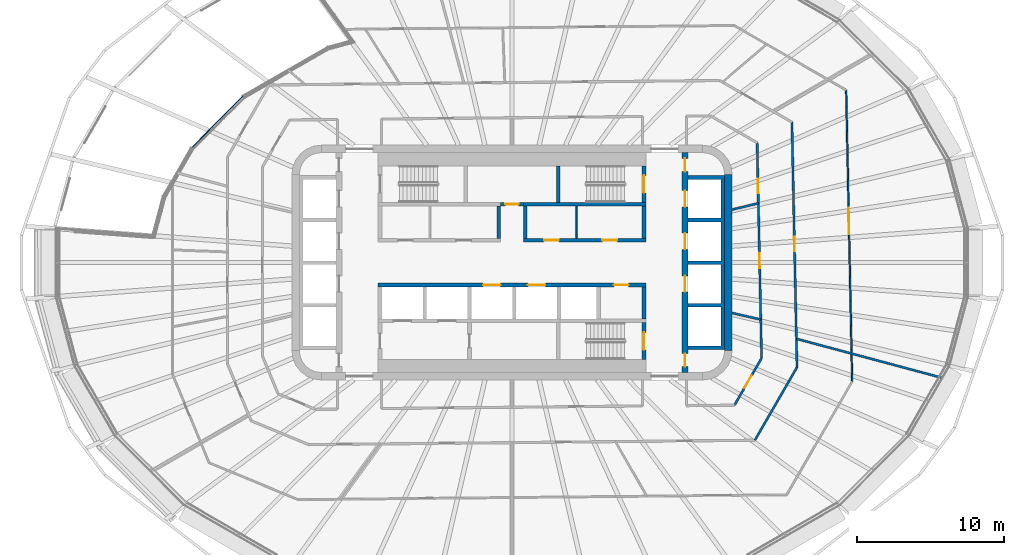
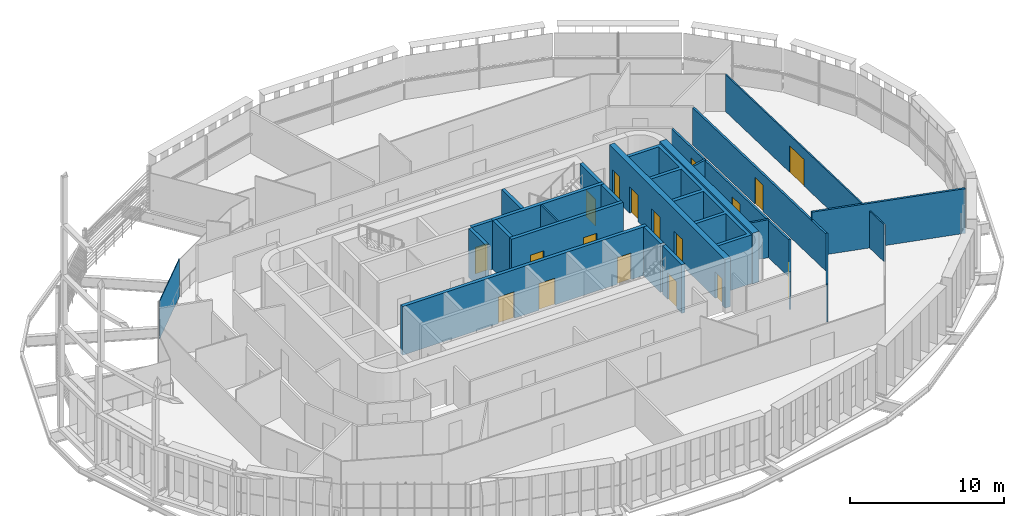
# One storey, part 13 of 22: 24 walls, 18 doors, 18 openings.
"""IFC4 building model written with IfcOpenShell, lengths in metres."""

from ifc_helpers import new_model, si_unit, direction, frame, frame_2d, origin, place, context, subcontext, project, spatial, polyline, rectangle, outline, extrude, material, layer, layer_set, type_object, element, fill, save


model = new_model("IFC4")

# Units and contexts
model_context = context("Model", 3, precision=1e-05, world=origin(), true_north=direction((0.0, 1.0)))
body_context = subcontext(model_context, "Body", "Model", "MODEL_VIEW")
ifc_project = project(units=[si_unit("LENGTHUNIT", "METRE"), si_unit("AREAUNIT", "SQUARE_METRE"), si_unit("VOLUMEUNIT", "CUBIC_METRE"), si_unit("PLANEANGLEUNIT", "RADIAN"), si_unit("MASSUNIT", "GRAM", prefix="KILO")], contexts=[model_context])

# Site, building, storey
site_placement = place(None, origin())
site = spatial("IfcSite", under=ifc_project, at=site_placement, CompositionType="ELEMENT")
building_placement = place(site_placement, origin())
building = spatial("IfcBuilding", under=site, at=building_placement, Name="Sahrelin Media Tower", CompositionType="ELEMENT")
storey_placement = place(building_placement, frame((0.0, 0.0, 177.60009765625)))
storey = spatial("IfcBuildingStorey", under=building, at=storey_placement, Name="L37", CompositionType="ELEMENT", Elevation=177.60009765625)

# Wall
ifc_material_1 = material(Name="Concrete C60/75", Category="concrete")
ifc_layer_1 = layer(ifc_material_1, 0.5)
ifc_layer_set_1 = layer_set([ifc_layer_1], Name="Core wall 500")
wall_type_1 = type_object("IfcWallType", Name="Core wall 500", PredefinedType="SHEAR", material=ifc_layer_set_1)
wall_1_placement = place(storey_placement, frame((14.75, -6.0, 0.0), z_axis=(0.0, 0.0, 1.0), x_axis=(0.0, 1.0, 0.0)))
element("IfcWall", 1, at=wall_1_placement, inside=storey, type_object=wall_type_1, Name="Core wall E L37", PredefinedType="SHEAR", context=body_context, shape_type="SweptSolid", body=[
    extrude(rectangle(XDim=12.0, YDim=0.5, at=frame_2d((6.0, 0.0))), origin(), (0.0, 0.0, 1.0), 4.0),
])

# Wall, opening, door
ifc_material_2 = material(Name="Fire-rated gypsum board partition")
ifc_layer_2 = layer(ifc_material_2, 0.25)
ifc_layer_set_2 = layer_set([ifc_layer_2], Name="Fire-rated lobby wall 250")
wall_type_2 = type_object("IfcWallType", Name="Fire-rated lobby wall 250", PredefinedType="PARTITIONING", material=ifc_layer_set_2)
wall_2_placement = place(storey_placement, frame((-0.77490234375, 3.97509765625, 0.0), z_axis=(0.0, 0.0, 1.0), x_axis=(1.0, 0.0, 0.0)))
wall_2 = element("IfcWall", 2, at=wall_2_placement, inside=storey, type_object=wall_type_2, Name="Core lobby wall", PredefinedType="PARTITIONING", context=body_context, shape_type="SweptSolid", body=[
    extrude(rectangle(XDim=1.5498046875, YDim=0.25, at=frame_2d((0.77490234375, 0.0))), origin(), (0.0, 0.0, 1.0), 3.849853515625),
])
opening_1_placement = place(wall_2_placement, frame((0.324951171875, 0.0, 0.0)))
opening_1 = element("IfcOpeningElement", 3, at=opening_1_placement, cuts=wall_2, Name="Opening L37-D06", PredefinedType="OPENING", context=body_context, shape_type="SweptSolid", body=[
    extrude(rectangle(XDim=0.89990234375, YDim=2.10009765625, at=frame_2d((0.449951171875, 1.050048828125))), frame((0.0, 0.125, 0.0), z_axis=(0.0, -1.0, 0.0), x_axis=(1.0, 0.0, 0.0)), (0.0, 0.0, 1.0), 0.25),
])
ifc_material_3 = material(Name="Steel fire door leaf", Category="steel")
door_type_1 = type_object("IfcDoorType", Name="Riser door 900 x 2100 EI 120", OperationType="NOTDEFINED", PredefinedType="DOOR", material=ifc_material_3)
door_1_placement = place(opening_1_placement, origin())
door_1 = element("IfcDoor", 4, at=door_1_placement, inside=storey, type_object=door_type_1, Name="Core room door", OperationType="SINGLE_SWING_LEFT", OverallHeight=2.10009765625, OverallWidth=0.89990234375, PredefinedType="DOOR", context=body_context, shape_type="SweptSolid", body=[
    extrude(rectangle(XDim=0.89990234375, YDim=2.10009765625, at=frame_2d((0.449951171875, 1.050048828125))), frame((0.0, 0.02490234375, 0.0), z_axis=(0.0, -1.0, 0.0), x_axis=(1.0, 0.0, 0.0)), (0.0, 0.0, 1.0), 0.050048828125),
])
fill(opening_1, door_1)

# Wall, openings, doors
wall_3_placement = place(storey_placement, frame((0.77490234375, 1.52490234375, 0.0), z_axis=(0.0, 0.0, 1.0), x_axis=(1.0, 0.0, 0.0)))
wall_3 = element("IfcWall", 5, at=wall_3_placement, inside=storey, type_object=wall_type_2, Name="Core lobby wall", PredefinedType="PARTITIONING", context=body_context, shape_type="SweptSolid", body=[
    extrude(rectangle(XDim=8.35009765625, YDim=0.25, at=frame_2d((4.175048828125, 0.0))), origin(), (0.0, 0.0, 1.0), 3.849853515625),
])
opening_2_placement = place(wall_3_placement, frame((1.41259765625, 0.0, 0.0)))
opening_2 = element("IfcOpeningElement", 6, at=opening_2_placement, cuts=wall_3, Name="Opening L37-D09", PredefinedType="OPENING", context=body_context, shape_type="SweptSolid", body=[
    extrude(rectangle(XDim=1.0, YDim=2.10009765625, at=frame_2d((0.5, 1.050048828125))), frame((0.0, 0.125, 0.0), z_axis=(0.0, -1.0, 0.0), x_axis=(1.0, 0.0, 0.0)), (0.0, 0.0, 1.0), 0.25),
])
opening_3_placement = place(wall_3_placement, frame((5.387451171875, 0.0, 0.0)))
opening_3 = element("IfcOpeningElement", 7, at=opening_3_placement, cuts=wall_3, Name="Opening L37-D10", PredefinedType="OPENING", context=body_context, shape_type="SweptSolid", body=[
    extrude(rectangle(XDim=1.0, YDim=2.10009765625, at=frame_2d((0.5, 1.050048828125))), frame((0.0, 0.125, 0.0), z_axis=(0.0, -1.0, 0.0), x_axis=(1.0, 0.0, 0.0)), (0.0, 0.0, 1.0), 0.25),
])
door_type_2 = type_object("IfcDoorType", Name="Fire door 1000 x 2100 EI 60", OperationType="NOTDEFINED", PredefinedType="DOOR", material=ifc_material_3)
door_2_placement = place(opening_2_placement, origin())
door_2 = element("IfcDoor", 8, at=door_2_placement, inside=storey, type_object=door_type_2, Name="Core room door", OperationType="SINGLE_SWING_LEFT", OverallHeight=2.10009765625, OverallWidth=1.0, PredefinedType="DOOR", context=body_context, shape_type="SweptSolid", body=[
    extrude(rectangle(XDim=1.0, YDim=2.10009765625, at=frame_2d((0.5, 1.050048828125))), frame((0.0, 0.02490234375, 0.0), z_axis=(0.0, -1.0, 0.0), x_axis=(1.0, 0.0, 0.0)), (0.0, 0.0, 1.0), 0.050048828125),
])
fill(opening_2, door_2)
door_3_placement = place(opening_3_placement, origin())
door_3 = element("IfcDoor", 9, at=door_3_placement, inside=storey, type_object=door_type_2, Name="Core room door", OperationType="SINGLE_SWING_LEFT", OverallHeight=2.10009765625, OverallWidth=1.0, PredefinedType="DOOR", context=body_context, shape_type="SweptSolid", body=[
    extrude(rectangle(XDim=1.0, YDim=2.10009765625, at=frame_2d((0.5, 1.050048828125))), frame((0.0, 0.02490234375, 0.0), z_axis=(0.0, -1.0, 0.0), x_axis=(1.0, 0.0, 0.0)), (0.0, 0.0, 1.0), 0.050048828125),
])
fill(opening_3, door_3)

# Walls
for number, where, z_axis, x_axis, name in (
    (10, (-0.89990234375, 1.64990234375, 0.0), (0.0, 0.0, 1.0), (0.0, 1.0, 0.0), "Core lobby wall"),
    (11, (9.0, 1.64990234375, 0.0), (0.0, 0.0, 1.0), (0.0, 1.0, 0.0), "Core lobby wall"),
    (12, (0.89990234375, 1.64990234375, 0.0), (0.0, 0.0, 1.0), (0.0, 1.0, 0.0), "Core lobby wall"),
):
    element("IfcWall", number, at=place(storey_placement, frame(where, z_axis=z_axis, x_axis=x_axis)), inside=storey, type_object=wall_type_2, Name=name, PredefinedType="PARTITIONING", context=body_context, shape_type="SweptSolid", body=[
        extrude(rectangle(XDim=2.2001953125, YDim=0.25, at=frame_2d((1.10009765625, 0.0))), origin(), (0.0, 0.0, 1.0), 3.849853515625),
    ])
ifc_layer_3 = layer(ifc_material_2, 0.10009765625)
ifc_layer_set_3 = layer_set([ifc_layer_3], Name="Fire-rated partition 100")
wall_type_3 = type_object("IfcWallType", Name="Fire-rated partition 100", PredefinedType="PARTITIONING", material=ifc_layer_set_3)
wall_4_placement = place(storey_placement, frame((4.39990234375, 1.64990234375, 0.0), z_axis=(0.0, 0.0, 1.0), x_axis=(0.0, 1.0, 0.0)))
element("IfcWall", 13, at=wall_4_placement, inside=storey, type_object=wall_type_3, Name="Core room partition", PredefinedType="PARTITIONING", context=body_context, shape_type="SweptSolid", body=[
    extrude(rectangle(XDim=2.2001953125, YDim=0.10009765625, at=frame_2d((1.10009765625, 0.0))), origin(), (0.0, 0.0, 1.0), 3.849853515625),
])

# Wall, openings, doors
ifc_layer_4 = layer(ifc_material_2, 0.14990234375)
ifc_layer_set_4 = layer_set([ifc_layer_4], Name="Fire-rated partition 150")
wall_type_4 = type_object("IfcWallType", Name="Fire-rated partition 150", PredefinedType="PARTITIONING", material=ifc_layer_set_4)
wall_5_placement = place(storey_placement, frame((16.7080078125, 8.16796875, 0.0), z_axis=(0.0, 0.0, 1.0), x_axis=(0.020594135175, -0.999787918309, 0.0)))
wall_5 = element("IfcWall", 14, at=wall_5_placement, inside=storey, type_object=wall_type_4, Name="Wall", PredefinedType="PARTITIONING", context=body_context, shape_type="SweptSolid", body=[
    extrude(rectangle(XDim=14.688232421875, YDim=0.14990234375, at=frame_2d((7.34423828125, 0.0))), origin(), (0.0, 0.0, 1.0), 2.927001953125),
])
opening_4_placement = place(wall_5_placement, frame((7.540283203125, 0.0, 0.0)))
opening_4 = element("IfcOpeningElement", 15, at=opening_4_placement, cuts=wall_5, Name="Opening L37-D23", PredefinedType="OPENING", context=body_context, shape_type="SweptSolid", body=[
    extrude(rectangle(XDim=1.0, YDim=2.10009765625, at=frame_2d((0.5, 1.050048828125))), frame((0.0, 0.074951171875, 0.0), z_axis=(0.0, -1.0, 0.0), x_axis=(1.0, 0.0, 0.0)), (0.0, 0.0, 1.0), 0.14990234375),
])
opening_5_placement = place(wall_5_placement, frame((2.4404296875, 0.0, 0.0)))
opening_5 = element("IfcOpeningElement", 16, at=opening_5_placement, cuts=wall_5, Name="Opening L37-D24", PredefinedType="OPENING", context=body_context, shape_type="SweptSolid", body=[
    extrude(rectangle(XDim=1.0, YDim=2.10009765625, at=frame_2d((0.5, 1.050048828125))), frame((0.0, 0.074951171875, 0.0), z_axis=(0.0, -1.0, 0.0), x_axis=(1.0, 0.0, 0.0)), (0.0, 0.0, 1.0), 0.14990234375),
])
door_4_placement = place(opening_4_placement, origin())
door_4 = element("IfcDoor", 17, at=door_4_placement, inside=storey, type_object=door_type_2, Name="Fire door", OperationType="SINGLE_SWING_RIGHT", OverallHeight=2.10009765625, OverallWidth=1.0, PredefinedType="DOOR", context=body_context, shape_type="SweptSolid", body=[
    extrude(rectangle(XDim=1.0, YDim=2.10009765625, at=frame_2d((0.5, 1.050048828125))), frame((0.0, 0.02490234375, 0.0), z_axis=(0.0, -1.0, 0.0), x_axis=(1.0, 0.0, 0.0)), (0.0, 0.0, 1.0), 0.050048828125),
])
fill(opening_4, door_4)
door_5_placement = place(opening_5_placement, origin())
door_5 = element("IfcDoor", 18, at=door_5_placement, inside=storey, type_object=door_type_2, Name="Fire door", OperationType="SINGLE_SWING_RIGHT", OverallHeight=2.10009765625, OverallWidth=1.0, PredefinedType="DOOR", context=body_context, shape_type="SweptSolid", body=[
    extrude(rectangle(XDim=1.0, YDim=2.10009765625, at=frame_2d((0.5, 1.050048828125))), frame((0.0, 0.02490234375, 0.0), z_axis=(0.0, -1.0, 0.0), x_axis=(1.0, 0.0, 0.0)), (0.0, 0.0, 1.0), 0.050048828125),
])
fill(opening_5, door_5)

# Wall, opening, door
wall_6_placement = place(storey_placement, frame((19.080078125, 9.570068359375, 0.0), z_axis=(0.0, 0.0, 1.0), x_axis=(0.020585419538, -0.9997880978, 0.0)))
wall_6 = element("IfcWall", 19, at=wall_6_placement, inside=storey, type_object=wall_type_4, Name="Wall", PredefinedType="PARTITIONING", context=body_context, shape_type="SweptSolid", body=[
    extrude(rectangle(XDim=16.710693359375, YDim=0.14990234375, at=frame_2d((8.35546875, 0.0))), origin(), (0.0, 0.0, 1.0), 2.927001953125),
])
opening_6_placement = place(wall_6_placement, frame((7.80517578125, 0.0, 0.0)))
opening_6 = element("IfcOpeningElement", 20, at=opening_6_placement, cuts=wall_6, Name="Opening L37-D33", PredefinedType="OPENING", context=body_context, shape_type="SweptSolid", body=[
    extrude(rectangle(XDim=1.0, YDim=2.10009765625, at=frame_2d((0.5, 1.050048828125))), frame((0.0, 0.074951171875, 0.0), z_axis=(0.0, -1.0, 0.0), x_axis=(1.0, 0.0, 0.0)), (0.0, 0.0, 1.0), 0.14990234375),
])
door_6_placement = place(opening_6_placement, origin())
door_6 = element("IfcDoor", 21, at=door_6_placement, inside=storey, type_object=door_type_2, Name="Fire door", OperationType="SINGLE_SWING_RIGHT", OverallHeight=2.10009765625, OverallWidth=1.0, PredefinedType="DOOR", context=body_context, shape_type="SweptSolid", body=[
    extrude(rectangle(XDim=1.0, YDim=2.10009765625, at=frame_2d((0.5, 1.050048828125))), frame((0.0, 0.02490234375, 0.0), z_axis=(0.0, -1.0, 0.0), x_axis=(1.0, 0.0, 0.0)), (0.0, 0.0, 1.0), 0.050048828125),
])
fill(opening_6, door_6)

# Walls
wall_7_placement = place(storey_placement, frame((19.384033203125, -5.194091796875, 0.0), z_axis=(0.0, 0.0, 1.0), x_axis=(0.965946042089, -0.258743586919, 0.0)))
element("IfcWall", 22, at=wall_7_placement, inside=storey, type_object=wall_type_4, Name="Wall", PredefinedType="PARTITIONING", context=body_context, shape_type="SweptSolid", body=[
    extrude(rectangle(XDim=10.302734375, YDim=0.14990234375, at=frame_2d((5.1513671875, 0.0))), origin(), (0.0, 0.0, 1.0), 3.526611328125),
])
wall_8_placement = place(storey_placement, frame((15.0, -3.43505859375, 0.0), z_axis=(0.0, 0.0, 1.0), x_axis=(0.974785245705, -0.223145075582, 0.0)))
element("IfcWall", 23, at=wall_8_placement, inside=storey, type_object=wall_type_4, Name="Wall", PredefinedType="PARTITIONING", context=body_context, shape_type="SweptSolid", body=[
    extrude(rectangle(XDim=2.007568359375, YDim=0.14990234375, at=frame_2d((1.00390625, 0.0))), origin(), (0.0, 0.0, 1.0), 2.994873046875),
])
wall_9_placement = place(storey_placement, frame((15.0, 3.612060546875, 0.0), z_axis=(0.0, 0.0, 1.0), x_axis=(0.972133200519, 0.234429180027, 0.0)))
element("IfcWall", 24, at=wall_9_placement, inside=storey, type_object=wall_type_4, Name="Wall", PredefinedType="PARTITIONING", context=body_context, shape_type="SweptSolid", body=[
    extrude(rectangle(XDim=1.844482421875, YDim=0.14990234375, at=frame_2d((0.92236328125, 0.0))), origin(), (0.0, 0.0, 1.0), 2.994873046875),
])
wall_10_placement = place(storey_placement, frame((16.554931640625, -12.10693359375, 0.0), z_axis=(0.0, 0.0, 1.0), x_axis=(0.500014611105, 0.866016967894, 0.0)))
element("IfcWall", 25, at=wall_10_placement, inside=storey, type_object=wall_type_4, Name="Wall", PredefinedType="PARTITIONING", context=body_context, shape_type="SweptSolid", body=[
    extrude(rectangle(XDim=5.738525390625, YDim=0.14990234375, at=frame_2d((2.869140625, 0.0))), origin(), (0.0, 0.0, 1.0), 2.994873046875),
])

# Wall, opening, door
wall_11_placement = place(storey_placement, frame((15.160888671875, -9.720947265625, 0.0), z_axis=(0.0, 0.0, 1.0), x_axis=(0.500042316284, 0.866000971088, 0.0)))
wall_11 = element("IfcWall", 26, at=wall_11_placement, inside=storey, type_object=wall_type_4, Name="Wall", PredefinedType="PARTITIONING", context=body_context, shape_type="SweptSolid", body=[
    extrude(rectangle(XDim=3.699951171875, YDim=0.14990234375, at=frame_2d((1.85009765625, 0.0))), origin(), (0.0, 0.0, 1.0), 2.994873046875),
])
opening_7_placement = place(wall_11_placement, frame((1.3505859375, 0.0, 0.0)))
opening_7 = element("IfcOpeningElement", 27, at=opening_7_placement, cuts=wall_11, Name="Opening L37-D22", PredefinedType="OPENING", context=body_context, shape_type="SweptSolid", body=[
    extrude(rectangle(XDim=1.0, YDim=2.10009765625, at=frame_2d((0.5, 1.050048828125))), frame((0.0, 0.074951171875, 0.0), z_axis=(0.0, -1.0, 0.0), x_axis=(1.0, 0.0, 0.0)), (0.0, 0.0, 1.0), 0.14990234375),
])
door_7_placement = place(opening_7_placement, origin())
door_7 = element("IfcDoor", 28, at=door_7_placement, inside=storey, type_object=door_type_2, Name="Fire door", OperationType="SINGLE_SWING_LEFT", OverallHeight=2.10009765625, OverallWidth=1.0, PredefinedType="DOOR", context=body_context, shape_type="SweptSolid", body=[
    extrude(rectangle(XDim=1.0, YDim=2.10009765625, at=frame_2d((0.5, 1.050048828125))), frame((0.0, 0.02490234375, 0.0), z_axis=(0.0, -1.0, 0.0), x_axis=(1.0, 0.0, 0.0)), (0.0, 0.0, 1.0), 0.050048828125),
])
fill(opening_7, door_7)

# Wall
ifc_material_4 = material(Name="Clear glass", Category="glass")
ifc_layer_5 = layer(ifc_material_4, 0.050048828125)
ifc_layer_set_5 = layer_set([ifc_layer_5], Name="Glazed partition 50")
wall_type_5 = type_object("IfcWallType", Name="Glazed partition 50", PredefinedType="PARTITIONING", material=ifc_layer_set_5)
wall_12_placement = place(storey_placement, frame((-21.860107421875, 7.806884765625, 0.0), z_axis=(0.0, 0.0, 1.0), x_axis=(0.707009175172, 0.70720437373, 0.0)))
element("IfcWall", 29, at=wall_12_placement, inside=storey, type_object=wall_type_5, Name="Wall", PredefinedType="PARTITIONING", context=body_context, shape_type="SweptSolid", body=[
    extrude(rectangle(XDim=5.0029296875, YDim=0.050048828125, at=frame_2d((2.50146484375, 0.0))), origin(), (0.0, 0.0, 1.0), 2.994873046875),
])

# Wall, openings, doors
ifc_layer_6 = layer(ifc_material_1, 0.25)
ifc_layer_set_6 = layer_set([ifc_layer_6], Name="Lift shaft wall 250")
wall_type_6 = type_object("IfcWallType", Name="Lift shaft wall 250", PredefinedType="SOLIDWALL", material=ifc_layer_set_6)
wall_13_placement = place(storey_placement, frame((-9.125, -1.52490234375, 0.0), z_axis=(0.0, 0.0, 1.0), x_axis=(1.0, 0.0, 0.0)))
wall_13 = element("IfcWall", 30, at=wall_13_placement, inside=storey, type_object=wall_type_6, Name="Lift shaft wall", PredefinedType="SOLIDWALL", context=body_context, shape_type="SweptSolid", body=[
    extrude(rectangle(XDim=18.25, YDim=0.25, at=frame_2d((9.125, 0.0))), origin(), (0.0, 0.0, 1.0), 3.849853515625),
])
opening_8_placement = place(wall_13_placement, frame((7.14990234375, 0.0, 0.0)))
opening_8 = element("IfcOpeningElement", 31, at=opening_8_placement, cuts=wall_13, Name="Opening L37-LD-SV1", PredefinedType="OPENING", context=body_context, shape_type="SweptSolid", body=[
    extrude(rectangle(XDim=1.199951171875, YDim=2.10009765625, at=frame_2d((0.60009765625, 1.050048828125))), frame((0.0, 0.125, 0.0), z_axis=(0.0, -1.0, 0.0), x_axis=(1.0, 0.0, 0.0)), (0.0, 0.0, 1.0), 0.25),
])
opening_9_placement = place(wall_13_placement, frame((10.199951171875, 0.0, 0.0)))
opening_9 = element("IfcOpeningElement", 32, at=opening_9_placement, cuts=wall_13, Name="Opening L37-LD-SV2", PredefinedType="OPENING", context=body_context, shape_type="SweptSolid", body=[
    extrude(rectangle(XDim=1.199951171875, YDim=2.10009765625, at=frame_2d((0.60009765625, 1.050048828125))), frame((0.0, 0.125, 0.0), z_axis=(0.0, -1.0, 0.0), x_axis=(1.0, 0.0, 0.0)), (0.0, 0.0, 1.0), 0.25),
])
opening_10_placement = place(wall_13_placement, frame((16.074951171875, 0.0, 0.0)))
opening_10 = element("IfcOpeningElement", 33, at=opening_10_placement, cuts=wall_13, Name="Opening L37-D11", PredefinedType="OPENING", context=body_context, shape_type="SweptSolid", body=[
    extrude(rectangle(XDim=1.0, YDim=2.10009765625, at=frame_2d((0.5, 1.050048828125))), frame((0.0, 0.125, 0.0), z_axis=(0.0, -1.0, 0.0), x_axis=(1.0, 0.0, 0.0)), (0.0, 0.0, 1.0), 0.25),
])
door_8_placement = place(opening_10_placement, origin())
door_8 = element("IfcDoor", 34, at=door_8_placement, inside=storey, type_object=door_type_2, Name="Core room door", OperationType="SINGLE_SWING_RIGHT", OverallHeight=2.10009765625, OverallWidth=1.0, PredefinedType="DOOR", context=body_context, shape_type="SweptSolid", body=[
    extrude(rectangle(XDim=1.0, YDim=2.10009765625, at=frame_2d((0.5, 1.050048828125))), frame((0.0, 0.02490234375, 0.0), z_axis=(0.0, -1.0, 0.0), x_axis=(1.0, 0.0, 0.0)), (0.0, 0.0, 1.0), 0.050048828125),
])
fill(opening_10, door_8)
ifc_material_5 = material(Name="Stainless steel", Category="steel")
door_type_3 = type_object("IfcDoorType", Name="Lift landing door 1200 x 2100 EI 120", OperationType="DOUBLE_DOOR_SLIDING", PredefinedType="DOOR", material=ifc_material_5)
door_9_placement = place(opening_8_placement, origin())
door_9 = element("IfcDoor", 35, at=door_9_placement, inside=storey, type_object=door_type_3, Name="Lift landing door SV1", OperationType="DOUBLE_DOOR_SLIDING", OverallHeight=2.10009765625, OverallWidth=1.199951171875, PredefinedType="DOOR", context=body_context, shape_type="SweptSolid", body=[
    extrude(rectangle(XDim=1.199951171875, YDim=2.10009765625, at=frame_2d((0.60009765625, 1.050048828125))), frame((0.0, 0.02490234375, 0.0), z_axis=(0.0, -1.0, 0.0), x_axis=(1.0, 0.0, 0.0)), (0.0, 0.0, 1.0), 0.050048828125),
])
fill(opening_8, door_9)
door_10_placement = place(opening_9_placement, origin())
door_10 = element("IfcDoor", 36, at=door_10_placement, inside=storey, type_object=door_type_3, Name="Lift landing door SV2", OperationType="DOUBLE_DOOR_SLIDING", OverallHeight=2.10009765625, OverallWidth=1.199951171875, PredefinedType="DOOR", context=body_context, shape_type="SweptSolid", body=[
    extrude(rectangle(XDim=1.199951171875, YDim=2.10009765625, at=frame_2d((0.60009765625, 1.050048828125))), frame((0.0, 0.02490234375, 0.0), z_axis=(0.0, -1.0, 0.0), x_axis=(1.0, 0.0, 0.0)), (0.0, 0.0, 1.0), 0.050048828125),
])
fill(opening_9, door_10)

# Walls
wall_14_placement = place(storey_placement, frame((9.0, -3.85009765625, 0.0), z_axis=(0.0, 0.0, 1.0), x_axis=(0.0, 1.0, 0.0)))
element("IfcWall", 37, at=wall_14_placement, inside=storey, type_object=wall_type_6, Name="Lift shaft wall", PredefinedType="SOLIDWALL", context=body_context, shape_type="SweptSolid", body=[
    extrude(rectangle(XDim=2.2001953125, YDim=0.25, at=frame_2d((1.10009765625, 0.0))), origin(), (0.0, 0.0, 1.0), 3.849853515625),
])
wall_15_placement = place(storey_placement, origin())
element("IfcWall", 38, at=wall_15_placement, inside=storey, type_object=wall_type_6, Name="Lift shaft wall", PredefinedType="SOLIDWALL", context=body_context, shape_type="SweptSolid", body=[
    extrude(outline(polyline([(12.0, -5.675048828125), (12.0, -5.925048828125), (14.25, -5.925048828125), (14.5, -5.925048828125), (14.5, -5.675048828125), (14.5, -3.02490234375), (14.5, -2.77490234375), (14.5, -0.125), (14.5, 0.125), (14.5, 2.77490234375), (14.5, 3.02490234375), (14.5, 5.675048828125), (14.5, 5.925048828125), (14.25, 5.925048828125), (12.0, 5.925048828125), (12.0, 5.675048828125), (14.25, 5.675048828125), (14.25, 3.02490234375), (12.0, 3.02490234375), (12.0, 2.77490234375), (14.25, 2.77490234375), (14.25, 0.125), (12.0, 0.125), (12.0, -0.125), (14.25, -0.125), (14.25, -2.77490234375), (12.0, -2.77490234375), (12.0, -3.02490234375), (14.25, -3.02490234375), (14.25, -5.675048828125), (12.0, -5.675048828125)])), origin(), (0.0, 0.0, 1.0), 3.849853515625),
])

# Wall, openings, doors
ifc_layer_7 = layer(ifc_material_1, 0.39990234375)
ifc_layer_set_7 = layer_set([ifc_layer_7], Name="Lift shaft wall 400")
wall_type_7 = type_object("IfcWallType", Name="Lift shaft wall 400", PredefinedType="SOLIDWALL", material=ifc_layer_set_7)
wall_16_placement = place(storey_placement, frame((11.800048828125, -7.5, 0.0), z_axis=(0.0, 0.0, 1.0), x_axis=(0.0, 1.0, 0.0)))
wall_16 = element("IfcWall", 39, at=wall_16_placement, inside=storey, type_object=wall_type_7, Name="Lift shaft wall", PredefinedType="SOLIDWALL", context=body_context, shape_type="SweptSolid", body=[
    extrude(rectangle(XDim=15.0, YDim=0.39990234375, at=frame_2d((7.5, 0.0))), origin(), (0.0, 0.0, 1.0), 3.849853515625),
])
opening_11_placement = place(wall_16_placement, frame((11.300048828125, 0.0, 0.0)))
opening_11 = element("IfcOpeningElement", 40, at=opening_11_placement, cuts=wall_16, Name="Opening L37-LD-LR4", PredefinedType="OPENING", context=body_context, shape_type="SweptSolid", body=[
    extrude(rectangle(XDim=1.10009765625, YDim=2.10009765625, at=frame_2d((0.550048828125, 1.050048828125))), frame((0.0, 0.199951171875, 0.0), z_axis=(0.0, -1.0, 0.0), x_axis=(1.0, 0.0, 0.0)), (0.0, 0.0, 1.0), 0.39990234375),
])
opening_12_placement = place(wall_16_placement, frame((8.39990234375, 0.0, 0.0)))
opening_12 = element("IfcOpeningElement", 41, at=opening_12_placement, cuts=wall_16, Name="Opening L37-LD-LR5", PredefinedType="OPENING", context=body_context, shape_type="SweptSolid", body=[
    extrude(rectangle(XDim=1.10009765625, YDim=2.10009765625, at=frame_2d((0.550048828125, 1.050048828125))), frame((0.0, 0.199951171875, 0.0), z_axis=(0.0, -1.0, 0.0), x_axis=(1.0, 0.0, 0.0)), (0.0, 0.0, 1.0), 0.39990234375),
])
opening_13_placement = place(wall_16_placement, frame((5.5, 0.0, 0.0)))
opening_13 = element("IfcOpeningElement", 42, at=opening_13_placement, cuts=wall_16, Name="Opening L37-LD-LR6", PredefinedType="OPENING", context=body_context, shape_type="SweptSolid", body=[
    extrude(rectangle(XDim=1.10009765625, YDim=2.10009765625, at=frame_2d((0.550048828125, 1.050048828125))), frame((0.0, 0.199951171875, 0.0), z_axis=(0.0, -1.0, 0.0), x_axis=(1.0, 0.0, 0.0)), (0.0, 0.0, 1.0), 0.39990234375),
])
opening_14_placement = place(wall_16_placement, frame((13.696533203125, 0.0, 0.0)))
opening_14 = element("IfcOpeningElement", 43, at=opening_14_placement, cuts=wall_16, Name="Opening L37-D14", PredefinedType="OPENING", context=body_context, shape_type="SweptSolid", body=[
    extrude(rectangle(XDim=0.89990234375, YDim=2.10009765625, at=frame_2d((0.449951171875, 1.050048828125))), frame((0.0, 0.199951171875, 0.0), z_axis=(0.0, -1.0, 0.0), x_axis=(1.0, 0.0, 0.0)), (0.0, 0.0, 1.0), 0.39990234375),
])
opening_15_placement = place(wall_16_placement, frame((0.4033203125, 0.0, 0.0)))
opening_15 = element("IfcOpeningElement", 44, at=opening_15_placement, cuts=wall_16, Name="Opening L37-D15", PredefinedType="OPENING", context=body_context, shape_type="SweptSolid", body=[
    extrude(rectangle(XDim=0.89990234375, YDim=2.10009765625, at=frame_2d((0.449951171875, 1.050048828125))), frame((0.0, 0.199951171875, 0.0), z_axis=(0.0, -1.0, 0.0), x_axis=(1.0, 0.0, 0.0)), (0.0, 0.0, 1.0), 0.39990234375),
])
door_type_4 = type_object("IfcDoorType", Name="Lift landing door 1100 x 2100 EI 120", OperationType="DOUBLE_DOOR_SLIDING", PredefinedType="DOOR", material=ifc_material_5)
door_11_placement = place(opening_11_placement, origin())
door_11 = element("IfcDoor", 45, at=door_11_placement, inside=storey, type_object=door_type_4, Name="Lift landing door LR4", OperationType="DOUBLE_DOOR_SLIDING", OverallHeight=2.10009765625, OverallWidth=1.10009765625, PredefinedType="DOOR", context=body_context, shape_type="SweptSolid", body=[
    extrude(rectangle(XDim=1.10009765625, YDim=2.10009765625, at=frame_2d((0.550048828125, 1.050048828125))), frame((0.0, 0.02490234375, 0.0), z_axis=(0.0, -1.0, 0.0), x_axis=(1.0, 0.0, 0.0)), (0.0, 0.0, 1.0), 0.050048828125),
])
fill(opening_11, door_11)
door_12_placement = place(opening_12_placement, origin())
door_12 = element("IfcDoor", 46, at=door_12_placement, inside=storey, type_object=door_type_4, Name="Lift landing door LR5", OperationType="DOUBLE_DOOR_SLIDING", OverallHeight=2.10009765625, OverallWidth=1.10009765625, PredefinedType="DOOR", context=body_context, shape_type="SweptSolid", body=[
    extrude(rectangle(XDim=1.10009765625, YDim=2.10009765625, at=frame_2d((0.550048828125, 1.050048828125))), frame((0.0, 0.02490234375, 0.0), z_axis=(0.0, -1.0, 0.0), x_axis=(1.0, 0.0, 0.0)), (0.0, 0.0, 1.0), 0.050048828125),
])
fill(opening_12, door_12)
door_13_placement = place(opening_13_placement, origin())
door_13 = element("IfcDoor", 47, at=door_13_placement, inside=storey, type_object=door_type_4, Name="Lift landing door LR6", OperationType="DOUBLE_DOOR_SLIDING", OverallHeight=2.10009765625, OverallWidth=1.10009765625, PredefinedType="DOOR", context=body_context, shape_type="SweptSolid", body=[
    extrude(rectangle(XDim=1.10009765625, YDim=2.10009765625, at=frame_2d((0.550048828125, 1.050048828125))), frame((0.0, 0.02490234375, 0.0), z_axis=(0.0, -1.0, 0.0), x_axis=(1.0, 0.0, 0.0)), (0.0, 0.0, 1.0), 0.050048828125),
])
fill(opening_13, door_13)
door_14_placement = place(opening_14_placement, origin())
door_14 = element("IfcDoor", 48, at=door_14_placement, inside=storey, type_object=door_type_1, Name="Riser door", OperationType="SINGLE_SWING_RIGHT", OverallHeight=2.10009765625, OverallWidth=0.89990234375, PredefinedType="DOOR", context=body_context, shape_type="SweptSolid", body=[
    extrude(rectangle(XDim=0.89990234375, YDim=2.10009765625, at=frame_2d((0.449951171875, 1.050048828125))), frame((0.0, 0.02490234375, 0.0), z_axis=(0.0, -1.0, 0.0), x_axis=(1.0, 0.0, 0.0)), (0.0, 0.0, 1.0), 0.050048828125),
])
fill(opening_14, door_14)
door_15_placement = place(opening_15_placement, origin())
door_15 = element("IfcDoor", 49, at=door_15_placement, inside=storey, type_object=door_type_1, Name="Riser door", OperationType="SINGLE_SWING_RIGHT", OverallHeight=2.10009765625, OverallWidth=0.89990234375, PredefinedType="DOOR", context=body_context, shape_type="SweptSolid", body=[
    extrude(rectangle(XDim=0.89990234375, YDim=2.10009765625, at=frame_2d((0.449951171875, 1.050048828125))), frame((0.0, 0.02490234375, 0.0), z_axis=(0.0, -1.0, 0.0), x_axis=(1.0, 0.0, 0.0)), (0.0, 0.0, 1.0), 0.050048828125),
])
fill(opening_15, door_15)

# Wall, opening, door
ifc_material_6 = material(Name="Gypsum board partition")
ifc_layer_8 = layer(ifc_material_6, 0.10009765625)
ifc_layer_set_8 = layer_set([ifc_layer_8], Name="Partition 100")
wall_type_8 = type_object("IfcWallType", Name="Partition 100", PredefinedType="PARTITIONING", material=ifc_layer_set_8)
wall_17_placement = place(storey_placement, frame((22.77587890625, 11.75390625, 0.0), z_axis=(0.0, 0.0, 1.0), x_axis=(0.020565153385, -0.99978851487, 0.0)))
wall_17 = element("IfcWall", 50, at=wall_17_placement, inside=storey, type_object=wall_type_8, Name="Wall", PredefinedType="PARTITIONING", context=body_context, shape_type="SweptSolid", body=[
    extrude(rectangle(XDim=19.861083984375, YDim=0.10009765625, at=frame_2d((9.9306640625, 0.0))), origin(), (0.0, 0.0, 1.0), 2.927001953125),
])
opening_16_placement = place(wall_17_placement, frame((8.03076171875, 0.0, 0.0)))
opening_16 = element("IfcOpeningElement", 51, at=opening_16_placement, cuts=wall_17, Name="Opening L37-D34", PredefinedType="OPENING", context=body_context, shape_type="SweptSolid", body=[
    extrude(rectangle(XDim=1.800048828125, YDim=2.10009765625, at=frame_2d((0.89990234375, 1.050048828125))), frame((0.0, 0.050048828125, 0.0), z_axis=(0.0, -1.0, 0.0), x_axis=(1.0, 0.0, 0.0)), (0.0, 0.0, 1.0), 0.10009765625),
])
ifc_material_7 = material(Name="Timber door leaf", Category="wood")
door_type_5 = type_object("IfcDoorType", Name="Double door 1800 x 2100", OperationType="DOUBLE_DOOR_SINGLE_SWING", PredefinedType="DOOR", material=ifc_material_7)
door_16_placement = place(opening_16_placement, origin())
door_16 = element("IfcDoor", 52, at=door_16_placement, inside=storey, type_object=door_type_5, Name="Double door", OperationType="DOUBLE_DOOR_SINGLE_SWING", OverallHeight=2.10009765625, OverallWidth=1.800048828125, PredefinedType="DOOR", context=body_context, shape_type="SweptSolid", body=[
    extrude(rectangle(XDim=1.800048828125, YDim=2.10009765625, at=frame_2d((0.89990234375, 1.050048828125))), frame((0.0, 0.02490234375, 0.0), z_axis=(0.0, -1.0, 0.0), x_axis=(1.0, 0.0, 0.0)), (0.0, 0.0, 1.0), 0.050048828125),
])
fill(opening_16, door_16)

ifc_layer_9 = layer(ifc_material_1, 0.25)
ifc_layer_set_9 = layer_set([ifc_layer_9], Name="Stair enclosure wall 250")
wall_type_9 = type_object("IfcWallType", Name="Stair enclosure wall 250", PredefinedType="SOLIDWALL", material=ifc_layer_set_9)
wall_18_placement = place(storey_placement, frame((9.0, 4.10009765625, 0.0), z_axis=(0.0, 0.0, 1.0), x_axis=(0.0, 1.0, 0.0)))
wall_18 = element("IfcWall", 53, at=wall_18_placement, inside=storey, type_object=wall_type_9, Name="Stair enclosure wall", PredefinedType="SOLIDWALL", context=body_context, shape_type="SweptSolid", body=[
    extrude(rectangle(XDim=2.5, YDim=0.25, at=frame_2d((1.25, 0.0))), origin(), (0.0, 0.0, 1.0), 3.849853515625),
])
opening_17_placement = place(wall_18_placement, frame((0.64990234375, 0.0, 0.0)))
opening_17 = element("IfcOpeningElement", 54, at=opening_17_placement, cuts=wall_18, Name="Opening L37-D02", PredefinedType="OPENING", context=body_context, shape_type="SweptSolid", body=[
    extrude(rectangle(XDim=1.199951171875, YDim=2.10009765625, at=frame_2d((0.60009765625, 1.050048828125))), frame((0.0, 0.125, 0.0), z_axis=(0.0, -1.0, 0.0), x_axis=(1.0, 0.0, 0.0)), (0.0, 0.0, 1.0), 0.25),
])
door_type_6 = type_object("IfcDoorType", Name="Stair door 1200 x 2100 EI 120", OperationType="NOTDEFINED", PredefinedType="DOOR", material=ifc_material_3)
door_17_placement = place(opening_17_placement, origin())
door_17 = element("IfcDoor", 55, at=door_17_placement, inside=storey, type_object=door_type_6, Name="Stair door ST3", OperationType="SINGLE_SWING_LEFT", OverallHeight=2.10009765625, OverallWidth=1.199951171875, PredefinedType="DOOR", context=body_context, shape_type="SweptSolid", body=[
    extrude(rectangle(XDim=1.199951171875, YDim=2.10009765625, at=frame_2d((0.60009765625, 1.050048828125))), frame((0.0, 0.02490234375, 0.0), z_axis=(0.0, -1.0, 0.0), x_axis=(1.0, 0.0, 0.0)), (0.0, 0.0, 1.0), 0.050048828125),
])
fill(opening_17, door_17)

wall_19_placement = place(storey_placement, frame((9.0, -6.60009765625, 0.0), z_axis=(0.0, 0.0, 1.0), x_axis=(0.0, 1.0, 0.0)))
wall_19 = element("IfcWall", 56, at=wall_19_placement, inside=storey, type_object=wall_type_9, Name="Stair enclosure wall", PredefinedType="SOLIDWALL", context=body_context, shape_type="SweptSolid", body=[
    extrude(rectangle(XDim=2.5, YDim=0.25, at=frame_2d((1.25, 0.0))), origin(), (0.0, 0.0, 1.0), 3.849853515625),
])
opening_18_placement = place(wall_19_placement, frame((0.64990234375, 0.0, 0.0)))
opening_18 = element("IfcOpeningElement", 57, at=opening_18_placement, cuts=wall_19, Name="Opening L37-D03", PredefinedType="OPENING", context=body_context, shape_type="SweptSolid", body=[
    extrude(rectangle(XDim=1.199951171875, YDim=2.10009765625, at=frame_2d((0.60009765625, 1.050048828125))), frame((0.0, 0.125, 0.0), z_axis=(0.0, -1.0, 0.0), x_axis=(1.0, 0.0, 0.0)), (0.0, 0.0, 1.0), 0.25),
])
door_18_placement = place(opening_18_placement, origin())
door_18 = element("IfcDoor", 58, at=door_18_placement, inside=storey, type_object=door_type_6, Name="Stair door ST2", OperationType="SINGLE_SWING_LEFT", OverallHeight=2.10009765625, OverallWidth=1.199951171875, PredefinedType="DOOR", context=body_context, shape_type="SweptSolid", body=[
    extrude(rectangle(XDim=1.199951171875, YDim=2.10009765625, at=frame_2d((0.60009765625, 1.050048828125))), frame((0.0, 0.02490234375, 0.0), z_axis=(0.0, -1.0, 0.0), x_axis=(1.0, 0.0, 0.0)), (0.0, 0.0, 1.0), 0.050048828125),
])
fill(opening_18, door_18)

# Walls
wall_20_placement = place(storey_placement, frame((3.14990234375, 4.10009765625, 0.0), z_axis=(0.0, 0.0, 1.0), x_axis=(0.0, 1.0, 0.0)))
element("IfcWall", 59, at=wall_20_placement, inside=storey, type_object=wall_type_9, Name="Stair enclosure wall", PredefinedType="SOLIDWALL", context=body_context, shape_type="SweptSolid", body=[
    extrude(rectangle(XDim=2.5, YDim=0.25, at=frame_2d((1.25, 0.0))), origin(), (0.0, 0.0, 1.0), 3.849853515625),
])
wall_21_placement = place(storey_placement, frame((0.77490234375, 3.97509765625, 0.0), z_axis=(0.0, 0.0, 1.0), x_axis=(1.0, 0.0, 0.0)))
element("IfcWall", 60, at=wall_21_placement, inside=storey, type_object=wall_type_9, Name="Stair enclosure wall", PredefinedType="SOLIDWALL", context=body_context, shape_type="SweptSolid", body=[
    extrude(rectangle(XDim=8.35009765625, YDim=0.25, at=frame_2d((4.175048828125, 0.0))), origin(), (0.0, 0.0, 1.0), 3.849853515625),
])

save(model, "model.ifc")
